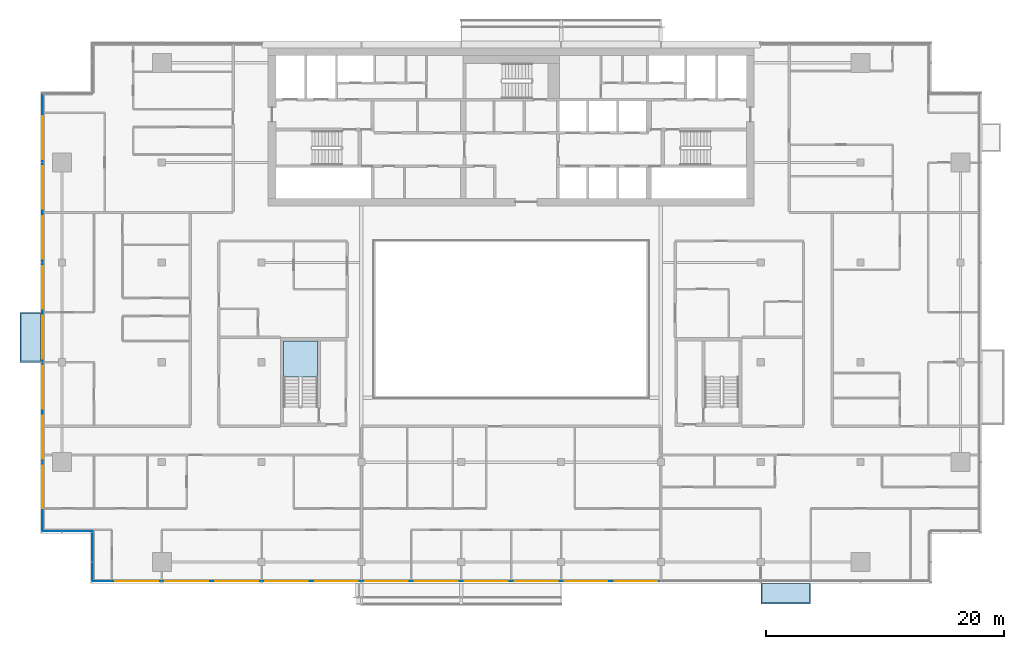
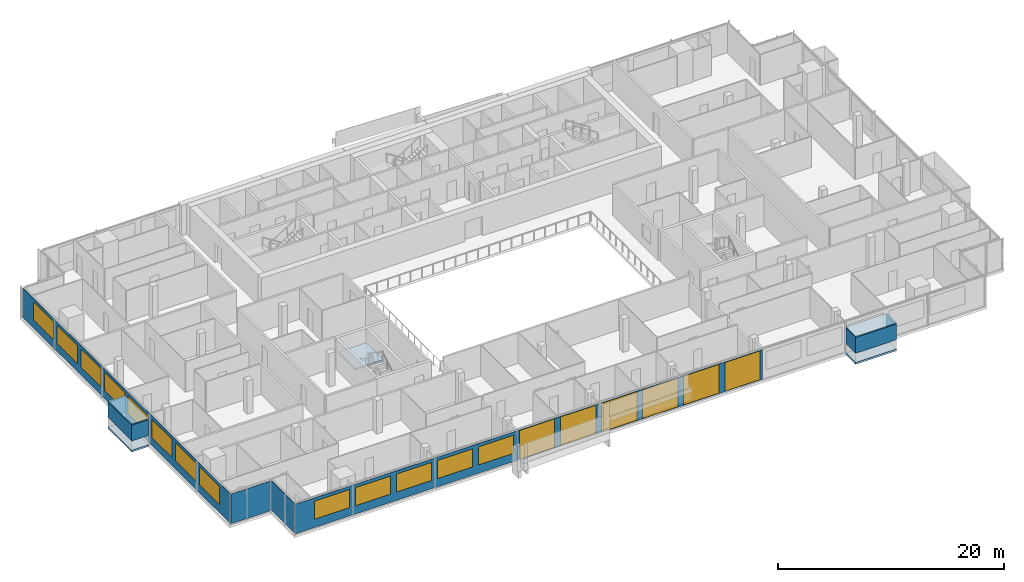
# One storey, part 14 of 26: 19 windows, 9 plates, 3 slabs, 19 openings, 5 elements without a shape of their own.
"""IFC4 building model written with IfcOpenShell, lengths in metres."""

import ifcopenshell
import ifcopenshell.guid

model = None  # the IFC model being written
_history = None  # IfcOwnerHistory: only IFC2X3 demands one
_inside = {}  # id of a spatial element -> (the spatial element, [elements in it])
_under = {}  # id of a project, library or spatial element -> (it, [spatial elements below it])
_declared = {}  # id of a project -> (the project, [libraries it declares])
_typed = {}  # id of a type object -> (the type object, [elements of that type])
_made_of = {}  # id of a material, layer set ... -> (it, [elements and type objects made of it])


def new_model(schema):
    """Start an empty IFC model of exactly this schema.

    Asked for "IFC4X3", IfcOpenShell would pick the latest addendum, in which some entities
    have other attributes; the version numbers below select the first issue.
    IFC2X3 requires an IfcOwnerHistory on every rooted entity: one is made here for all.
    """
    global model, _history
    if schema == "IFC4X3":
        model = ifcopenshell.file(schema_version=(4, 3, 0, 0))
    else:
        model = ifcopenshell.file(schema=schema)
    _inside.clear()
    _under.clear()
    _declared.clear()
    _typed.clear()
    _made_of.clear()
    _history = None
    if model.schema == "IFC2X3":
        org = make("IfcOrganization", Name="unknown")
        user = make(
            "IfcPersonAndOrganization",
            ThePerson=make("IfcPerson", FamilyName="unknown"),
            TheOrganization=org,
        )
        app = make(
            "IfcApplication",
            ApplicationDeveloper=org,
            Version="unknown",
            ApplicationFullName="unknown",
            ApplicationIdentifier="unknown",
        )
        _history = make(
            "IfcOwnerHistory",
            OwningUser=user,
            OwningApplication=app,
            ChangeAction="ADDED",
            CreationDate=0,
        )
    return model


def make(cls, **values):
    """One entity of the class cls with the attributes given. An attribute that is None is left unset."""
    return model.create_entity(
        cls, **{name: value for name, value in values.items() if value is not None}
    )


def rooted(cls, **values):
    """An entity with a GlobalId (a new one), such as an element, a storey or a relation."""
    return make(cls, GlobalId=ifcopenshell.guid.new(), OwnerHistory=_history, **values)


def si_unit(unit_type, name, prefix=None):
    """IfcSIUnit, for example si_unit("LENGTHUNIT", "METRE", prefix="MILLI")."""
    return make("IfcSIUnit", UnitType=unit_type, Prefix=prefix, Name=name)


def assignment(units):
    """IfcUnitAssignment: the units of a project."""
    return None if units is None else make("IfcUnitAssignment", Units=units)


def point(xyz):
    """IfcCartesianPoint."""
    return None if xyz is None else make("IfcCartesianPoint", Coordinates=xyz)


def direction(xyz):
    """IfcDirection."""
    return None if xyz is None else make("IfcDirection", DirectionRatios=xyz)


def frame(location, z_axis=None, x_axis=None):
    """IfcAxis2Placement3D, a coordinate frame: its origin and axes. An axis left out is left unset."""
    return make(
        "IfcAxis2Placement3D",
        Location=point(location),
        Axis=direction(z_axis),
        RefDirection=direction(x_axis),
    )


def frame_2d(location, x_axis=None):
    """IfcAxis2Placement2D, a coordinate frame in the plane: its origin and x axis."""
    return make(
        "IfcAxis2Placement2D", Location=point(location), RefDirection=direction(x_axis)
    )


def origin():
    """The frame at (0, 0, 0) with its axes left unset."""
    return frame((0.0, 0.0, 0.0))


def place(relative_to, where):
    """IfcLocalPlacement: puts the frame where relative to a parent placement (None: the world)."""
    return make(
        "IfcLocalPlacement", PlacementRelTo=relative_to, RelativePlacement=where
    )


def context(
    kind, dimensions, precision=None, world=None, true_north=None, identifier=None
):
    """IfcGeometricRepresentationContext, for example the 3D "Model" context."""
    return make(
        "IfcGeometricRepresentationContext",
        ContextIdentifier=identifier,
        ContextType=kind,
        CoordinateSpaceDimension=dimensions,
        Precision=precision,
        WorldCoordinateSystem=world,
        TrueNorth=true_north,
    )


def subcontext(parent, identifier, kind, view, scale=None):
    """IfcGeometricRepresentationSubContext, for example "Body" below "Model"."""
    return make(
        "IfcGeometricRepresentationSubContext",
        ContextIdentifier=identifier,
        ContextType=kind,
        ParentContext=parent,
        TargetScale=scale,
        TargetView=view,
    )


def project(units=None, contexts=None):
    """IfcProject with its units and contexts."""
    return rooted(
        "IfcProject",
        Name="project",
        RepresentationContexts=contexts,
        UnitsInContext=assignment(units),
    )


def spatial(cls, under=None, at=None, **own):
    """A site, building, storey or space (cls), placed at a placement, below another one or the project."""
    s = rooted(cls, ObjectPlacement=at, **own)
    if under is not None:
        _under.setdefault(under.id(), (under, []))[1].append(s)
    return s


def polyline(points):
    """IfcPolyline through the points."""
    return make("IfcPolyline", Points=[point(p) for p in points])


def profile(cls, at=None, kind="AREA", **sizes):
    """A parametric profile (cls). Its sizes go by their IFC names, for example OverallWidth=200.0."""
    return make(cls, ProfileType=kind, Position=at, **sizes)


def rectangle(**sizes):
    """IfcRectangleProfileDef."""
    return profile("IfcRectangleProfileDef", **sizes)


def outline(outer, holes=None, kind="AREA"):
    """IfcArbitraryClosedProfileDef: a profile drawn as a closed curve; with holes, ...WithVoids."""
    if holes is None:
        return make("IfcArbitraryClosedProfileDef", ProfileType=kind, OuterCurve=outer)
    return make(
        "IfcArbitraryProfileDefWithVoids",
        ProfileType=kind,
        OuterCurve=outer,
        InnerCurves=holes,
    )


def extrude(swept, where, along, depth):
    """IfcExtrudedAreaSolid: the profile swept, set in the frame where, extruded along a direction by depth."""
    return make(
        "IfcExtrudedAreaSolid",
        SweptArea=swept,
        Position=where,
        ExtrudedDirection=direction(along),
        Depth=depth,
    )


def shape(context_of_items, identifier, shape_type, items):
    """IfcShapeRepresentation: the items that make up one representation, for example the "Body"."""
    return make(
        "IfcShapeRepresentation",
        ContextOfItems=context_of_items,
        RepresentationIdentifier=identifier,
        RepresentationType=shape_type,
        Items=items,
    )


def material(Name=None, Category=None):
    """IfcMaterial."""
    return make("IfcMaterial", Name=Name, Category=Category)


def layer(
    of_material, thickness, ventilated=None, Name=None, Category=None, Priority=None
):
    """IfcMaterialLayer: one layer of a wall or slab, of a material (None: an air gap)."""
    return make(
        "IfcMaterialLayer",
        Material=of_material,
        LayerThickness=thickness,
        IsVentilated=ventilated,
        Name=Name,
        Category=Category,
        Priority=Priority,
    )


def layer_set(layers, Name=None):
    """IfcMaterialLayerSet."""
    return make("IfcMaterialLayerSet", MaterialLayers=layers, LayerSetName=Name)


def made_of(thing, what):
    """Note that an element or type object is made of a material, layer set ...; save() writes the relation."""
    if what is not None:
        _made_of.setdefault(what.id(), (what, []))[1].append(thing)
    return thing


def type_object(cls, material=None, **own):
    """A type object (cls), such as IfcWallType, which elements share."""
    return made_of(rooted(cls, **own), material)


def element(
    cls,
    number,
    at=None,
    inside=None,
    cuts=None,
    type_object=None,
    material=None,
    context=None,
    identifier="Body",
    shape_type=None,
    held_by="IfcProductDefinitionShape",
    body=None,
    shapes=None,
    **own,
):
    """One element of the class cls, such as IfcWall. Its Tag is "e" and its number.

    at: its placement. inside: the storey or other place that contains it. cuts: it is an
    opening in that element (IfcRelVoidsElement). A single representation is given by context,
    identifier, shape_type and body (its items); several are given by shapes. held_by: the class
    of the entity that holds the representations. save() writes the other relations.
    """
    e = rooted(cls, Tag="e%d" % number, ObjectPlacement=at, **own)
    if body is not None:
        shapes = [shape(context, identifier, shape_type, body)]
    if shapes is not None:
        e.Representation = make(held_by, Representations=shapes)
    if inside is not None:
        _inside.setdefault(inside.id(), (inside, []))[1].append(e)
    if cuts is not None:
        rooted(
            "IfcRelVoidsElement", RelatingBuildingElement=cuts, RelatedOpeningElement=e
        )
    if type_object is not None:
        _typed.setdefault(type_object.id(), (type_object, []))[1].append(e)
    return made_of(e, material)


def fill(opening, filler):
    """IfcRelFillsElement: the door or window that sits in an opening."""
    return rooted(
        "IfcRelFillsElement",
        RelatingOpeningElement=opening,
        RelatedBuildingElement=filler,
    )


def aggregate(whole, parts):
    """IfcRelAggregates: a whole, such as a stair, and the parts it consists of."""
    return rooted("IfcRelAggregates", RelatingObject=whole, RelatedObjects=parts)


def save(model, path):
    """Write the relations noted so far, then the file.

    IfcRelAggregates (storeys below a building ...), IfcRelContainedInSpatialStructure (elements
    in a storey), IfcRelDefinesByType, IfcRelAssociatesMaterial and IfcRelDeclares: one each for
    every whole, place, type object, material and project.
    """
    for whole, parts in _under.values():
        aggregate(whole, parts)
    for where, things in _inside.values():
        rooted(
            "IfcRelContainedInSpatialStructure",
            RelatedElements=things,
            RelatingStructure=where,
        )
    for kind, things in _typed.values():
        rooted("IfcRelDefinesByType", RelatedObjects=things, RelatingType=kind)
    for what, things in _made_of.values():
        rooted("IfcRelAssociatesMaterial", RelatedObjects=things, RelatingMaterial=what)
    for by, libraries in _declared.values():
        rooted("IfcRelDeclares", RelatingContext=by, RelatedDefinitions=libraries)
    model.write(path)


model = new_model("IFC4")

# Units and contexts
model_context = context("Model", 3, precision=1e-05, world=origin(), true_north=direction((0.0, 1.0)))
body_context = subcontext(model_context, "Body", "Model", "MODEL_VIEW")
ifc_project = project(units=[si_unit("LENGTHUNIT", "METRE"), si_unit("AREAUNIT", "SQUARE_METRE"), si_unit("VOLUMEUNIT", "CUBIC_METRE"), si_unit("PLANEANGLEUNIT", "RADIAN"), si_unit("MASSUNIT", "GRAM", prefix="KILO")], contexts=[model_context])

# Site, building, storey
site_placement = place(None, origin())
site = spatial("IfcSite", under=ifc_project, at=site_placement, CompositionType="ELEMENT")
building_placement = place(site_placement, origin())
building = spatial("IfcBuilding", under=site, at=building_placement, Name="Saffron Gate Tower", CompositionType="ELEMENT")
storey_placement = place(building_placement, frame((0.0, 0.0, 230.699951171875)))
storey = spatial("IfcBuildingStorey", under=building, at=storey_placement, Name="L56", CompositionType="ELEMENT", Elevation=230.699951171875)

# Curtain wall, plates, openings, windows
ifc_material_1 = material(Name="Aluminium, bronze anodised", Category="aluminium")
curtain_wall_type_1 = type_object("IfcCurtainWallType", Name="CWS1 curtain wall front facade", PredefinedType="NOTDEFINED", material=ifc_material_1)
curtain_wall_1_placement = place(storey_placement, origin())
curtain_wall_1 = element("IfcCurtainWall", 1, at=curtain_wall_1_placement, inside=storey, type_object=curtain_wall_type_1, Name="CWS1 run 1", PredefinedType="NOTDEFINED")
ifc_material_2 = material(Name="Clear low-iron laminated glass", Category="glass")
ifc_layer_1 = layer(ifc_material_2, 0.028076171875)
ifc_layer_set_1 = layer_set([ifc_layer_1], Name="CWS1 clear glass")
plate_type_1 = type_object("IfcPlateType", Name="CWS1 clear glass", PredefinedType="CURTAIN_PANEL", material=ifc_layer_set_1)
plate_1_placement = place(storey_placement, frame((75.030029296875, 30.174072265625, 0.0), z_axis=(0.0, 0.0, 1.0), x_axis=(1.0, 0.0, 0.0)))
plate_1 = element("IfcPlate", 2, at=plate_1_placement, type_object=plate_type_1, Name="CWS1 clear glass panel", PredefinedType="CURTAIN_PANEL", context=body_context, shape_type="SweptSolid", body=[
    extrude(rectangle(XDim=25.139892578125, YDim=0.028076171875, at=frame_2d((12.56982421875, 0.0))), origin(), (0.0, 0.0, 1.0), 3.199951171875),
])
opening_1_placement = place(plate_1_placement, frame((0.27001953125, 0.0, 0.050048828125)))
opening_1 = element("IfcOpeningElement", 3, at=opening_1_placement, cuts=plate_1, Name="Opening WA", PredefinedType="OPENING", context=body_context, shape_type="SweptSolid", body=[
    extrude(rectangle(XDim=3.60009765625, YDim=3.10009765625, at=frame_2d((1.800048828125, 1.550048828125))), frame((0.0, 0.02392578125, 0.0), z_axis=(0.0, -1.0, 0.0), x_axis=(1.0, 0.0, 0.0)), (0.0, 0.0, 1.0), 0.048095703125),
])
opening_2_placement = place(plate_1_placement, frame((4.469970703125, 0.0, 0.050048828125)))
opening_2 = element("IfcOpeningElement", 4, at=opening_2_placement, cuts=plate_1, Name="Opening WA", PredefinedType="OPENING", context=body_context, shape_type="SweptSolid", body=[
    extrude(rectangle(XDim=3.60009765625, YDim=3.10009765625, at=frame_2d((1.800048828125, 1.550048828125))), frame((0.0, 0.02392578125, 0.0), z_axis=(0.0, -1.0, 0.0), x_axis=(1.0, 0.0, 0.0)), (0.0, 0.0, 1.0), 0.048095703125),
])
opening_3_placement = place(plate_1_placement, frame((8.669921875, 0.0, 0.050048828125)))
opening_3 = element("IfcOpeningElement", 5, at=opening_3_placement, cuts=plate_1, Name="Opening WA", PredefinedType="OPENING", context=body_context, shape_type="SweptSolid", body=[
    extrude(rectangle(XDim=3.60009765625, YDim=3.10009765625, at=frame_2d((1.800048828125, 1.550048828125))), frame((0.0, 0.02392578125, 0.0), z_axis=(0.0, -1.0, 0.0), x_axis=(1.0, 0.0, 0.0)), (0.0, 0.0, 1.0), 0.048095703125),
])
opening_4_placement = place(plate_1_placement, frame((12.8701171875, 0.0, 0.050048828125)))
opening_4 = element("IfcOpeningElement", 6, at=opening_4_placement, cuts=plate_1, Name="Opening WA", PredefinedType="OPENING", context=body_context, shape_type="SweptSolid", body=[
    extrude(rectangle(XDim=3.60009765625, YDim=3.10009765625, at=frame_2d((1.800048828125, 1.550048828125))), frame((0.0, 0.02392578125, 0.0), z_axis=(0.0, -1.0, 0.0), x_axis=(1.0, 0.0, 0.0)), (0.0, 0.0, 1.0), 0.048095703125),
])
opening_5_placement = place(plate_1_placement, frame((17.070068359375, 0.0, 0.050048828125)))
opening_5 = element("IfcOpeningElement", 7, at=opening_5_placement, cuts=plate_1, Name="Opening WA", PredefinedType="OPENING", context=body_context, shape_type="SweptSolid", body=[
    extrude(rectangle(XDim=3.60009765625, YDim=3.10009765625, at=frame_2d((1.800048828125, 1.550048828125))), frame((0.0, 0.02392578125, 0.0), z_axis=(0.0, -1.0, 0.0), x_axis=(1.0, 0.0, 0.0)), (0.0, 0.0, 1.0), 0.048095703125),
])
opening_6_placement = place(plate_1_placement, frame((21.27001953125, 0.0, 0.050048828125)))
opening_6 = element("IfcOpeningElement", 8, at=opening_6_placement, cuts=plate_1, Name="Opening WA", PredefinedType="OPENING", context=body_context, shape_type="SweptSolid", body=[
    extrude(rectangle(XDim=3.60009765625, YDim=3.10009765625, at=frame_2d((1.800048828125, 1.550048828125))), frame((0.0, 0.02392578125, 0.0), z_axis=(0.0, -1.0, 0.0), x_axis=(1.0, 0.0, 0.0)), (0.0, 0.0, 1.0), 0.048095703125),
])
ifc_material_3 = material(Name="Clear low-iron laminated glass in bronze frame", Category="glass")
ifc_layer_2 = layer(ifc_material_3, 0.06005859375)
ifc_layer_set_2 = layer_set([ifc_layer_2], Name="WA operable atrium unit 3600x3100")
window_type_1 = type_object("IfcWindowType", Name="WA operable atrium unit 3600x3100", PartitioningType="DOUBLE_PANEL_HORIZONTAL", PredefinedType="WINDOW", material=ifc_layer_set_2)
window_1_placement = place(opening_1_placement, origin())
window_1 = element("IfcWindow", 9, at=window_1_placement, type_object=window_type_1, Name="WA operable atrium unit", OverallHeight=3.10009765625, OverallWidth=3.60009765625, PartitioningType="SINGLE_PANEL", PredefinedType="WINDOW", context=body_context, shape_type="SweptSolid", body=[
    extrude(rectangle(XDim=3.60009765625, YDim=3.10009765625, at=frame_2d((1.800048828125, 1.550048828125))), frame((0.0, 0.013671875, 0.0), z_axis=(0.0, -1.0, 0.0), x_axis=(1.0, 0.0, 0.0)), (0.0, 0.0, 1.0), 0.027587890625),
])
fill(opening_1, window_1)
window_2_placement = place(opening_2_placement, origin())
window_2 = element("IfcWindow", 10, at=window_2_placement, type_object=window_type_1, Name="WA operable atrium unit", OverallHeight=3.10009765625, OverallWidth=3.60009765625, PartitioningType="SINGLE_PANEL", PredefinedType="WINDOW", context=body_context, shape_type="SweptSolid", body=[
    extrude(rectangle(XDim=3.60009765625, YDim=3.10009765625, at=frame_2d((1.800048828125, 1.550048828125))), frame((0.0, 0.013671875, 0.0), z_axis=(0.0, -1.0, 0.0), x_axis=(1.0, 0.0, 0.0)), (0.0, 0.0, 1.0), 0.027587890625),
])
fill(opening_2, window_2)
window_3_placement = place(opening_3_placement, origin())
window_3 = element("IfcWindow", 11, at=window_3_placement, type_object=window_type_1, Name="WA operable atrium unit", OverallHeight=3.10009765625, OverallWidth=3.60009765625, PartitioningType="SINGLE_PANEL", PredefinedType="WINDOW", context=body_context, shape_type="SweptSolid", body=[
    extrude(rectangle(XDim=3.60009765625, YDim=3.10009765625, at=frame_2d((1.800048828125, 1.550048828125))), frame((0.0, 0.013671875, 0.0), z_axis=(0.0, -1.0, 0.0), x_axis=(1.0, 0.0, 0.0)), (0.0, 0.0, 1.0), 0.027587890625),
])
fill(opening_3, window_3)
window_4_placement = place(opening_4_placement, origin())
window_4 = element("IfcWindow", 12, at=window_4_placement, type_object=window_type_1, Name="WA operable atrium unit", OverallHeight=3.10009765625, OverallWidth=3.60009765625, PartitioningType="SINGLE_PANEL", PredefinedType="WINDOW", context=body_context, shape_type="SweptSolid", body=[
    extrude(rectangle(XDim=3.60009765625, YDim=3.10009765625, at=frame_2d((1.800048828125, 1.550048828125))), frame((0.0, 0.013671875, 0.0), z_axis=(0.0, -1.0, 0.0), x_axis=(1.0, 0.0, 0.0)), (0.0, 0.0, 1.0), 0.027587890625),
])
fill(opening_4, window_4)
window_5_placement = place(opening_5_placement, origin())
window_5 = element("IfcWindow", 13, at=window_5_placement, type_object=window_type_1, Name="WA operable atrium unit", OverallHeight=3.10009765625, OverallWidth=3.60009765625, PartitioningType="SINGLE_PANEL", PredefinedType="WINDOW", context=body_context, shape_type="SweptSolid", body=[
    extrude(rectangle(XDim=3.60009765625, YDim=3.10009765625, at=frame_2d((1.800048828125, 1.550048828125))), frame((0.0, 0.013671875, 0.0), z_axis=(0.0, -1.0, 0.0), x_axis=(1.0, 0.0, 0.0)), (0.0, 0.0, 1.0), 0.027587890625),
])
fill(opening_5, window_5)
window_6_placement = place(opening_6_placement, origin())
window_6 = element("IfcWindow", 14, at=window_6_placement, type_object=window_type_1, Name="WA operable atrium unit", OverallHeight=3.10009765625, OverallWidth=3.60009765625, PartitioningType="SINGLE_PANEL", PredefinedType="WINDOW", context=body_context, shape_type="SweptSolid", body=[
    extrude(rectangle(XDim=3.60009765625, YDim=3.10009765625, at=frame_2d((1.800048828125, 1.550048828125))), frame((0.0, 0.013671875, 0.0), z_axis=(0.0, -1.0, 0.0), x_axis=(1.0, 0.0, 0.0)), (0.0, 0.0, 1.0), 0.027587890625),
])
fill(opening_6, window_6)
ifc_material_4 = material(Name="Fritted bronze-tinted laminated glass", Category="glass")
ifc_layer_3 = layer(ifc_material_4, 0.028076171875)
ifc_layer_set_3 = layer_set([ifc_layer_3], Name="CWS1 fixed glass")
plate_type_2 = type_object("IfcPlateType", Name="CWS1 fixed glass", PredefinedType="CURTAIN_PANEL", material=ifc_layer_set_3)
plate_2_placement = place(storey_placement, frame((52.387939453125, 30.174072265625, 0.0), z_axis=(0.0, 0.0, 1.0), x_axis=(1.0, 0.0, 0.0)))
plate_2 = element("IfcPlate", 15, at=plate_2_placement, type_object=plate_type_2, Name="CWS1 glass panel", PredefinedType="CURTAIN_PANEL", context=body_context, shape_type="SweptSolid", body=[
    extrude(rectangle(XDim=22.64208984375, YDim=0.028076171875, at=frame_2d((11.321044921875, 0.0))), origin(), (0.0, 0.0, 1.0), 3.199951171875),
])
opening_7_placement = place(plate_2_placement, frame((1.912109375, 0.0, 0.89990234375)))
opening_7 = element("IfcOpeningElement", 16, at=opening_7_placement, cuts=plate_2, Name="Opening W1", PredefinedType="OPENING", context=body_context, shape_type="SweptSolid", body=[
    extrude(rectangle(XDim=3.60009765625, YDim=1.949951171875, at=frame_2d((1.800048828125, 0.97509765625))), frame((0.0, 0.02392578125, 0.0), z_axis=(0.0, -1.0, 0.0), x_axis=(1.0, 0.0, 0.0)), (0.0, 0.0, 1.0), 0.048095703125),
])
opening_8_placement = place(plate_2_placement, frame((6.112060546875, 0.0, 0.89990234375)))
opening_8 = element("IfcOpeningElement", 17, at=opening_8_placement, cuts=plate_2, Name="Opening W1", PredefinedType="OPENING", context=body_context, shape_type="SweptSolid", body=[
    extrude(rectangle(XDim=3.60009765625, YDim=1.949951171875, at=frame_2d((1.800048828125, 0.97509765625))), frame((0.0, 0.02392578125, 0.0), z_axis=(0.0, -1.0, 0.0), x_axis=(1.0, 0.0, 0.0)), (0.0, 0.0, 1.0), 0.048095703125),
])
opening_9_placement = place(plate_2_placement, frame((10.31201171875, 0.0, 0.89990234375)))
opening_9 = element("IfcOpeningElement", 18, at=opening_9_placement, cuts=plate_2, Name="Opening W1", PredefinedType="OPENING", context=body_context, shape_type="SweptSolid", body=[
    extrude(rectangle(XDim=3.60009765625, YDim=1.949951171875, at=frame_2d((1.800048828125, 0.97509765625))), frame((0.0, 0.02392578125, 0.0), z_axis=(0.0, -1.0, 0.0), x_axis=(1.0, 0.0, 0.0)), (0.0, 0.0, 1.0), 0.048095703125),
])
opening_10_placement = place(plate_2_placement, frame((14.511962890625, 0.0, 0.89990234375)))
opening_10 = element("IfcOpeningElement", 19, at=opening_10_placement, cuts=plate_2, Name="Opening W1", PredefinedType="OPENING", context=body_context, shape_type="SweptSolid", body=[
    extrude(rectangle(XDim=3.60009765625, YDim=1.949951171875, at=frame_2d((1.800048828125, 0.97509765625))), frame((0.0, 0.02392578125, 0.0), z_axis=(0.0, -1.0, 0.0), x_axis=(1.0, 0.0, 0.0)), (0.0, 0.0, 1.0), 0.048095703125),
])
opening_11_placement = place(plate_2_placement, frame((18.7119140625, 0.0, 0.89990234375)))
opening_11 = element("IfcOpeningElement", 20, at=opening_11_placement, cuts=plate_2, Name="Opening W1", PredefinedType="OPENING", context=body_context, shape_type="SweptSolid", body=[
    extrude(rectangle(XDim=3.60009765625, YDim=1.949951171875, at=frame_2d((1.800048828125, 0.97509765625))), frame((0.0, 0.02392578125, 0.0), z_axis=(0.0, -1.0, 0.0), x_axis=(1.0, 0.0, 0.0)), (0.0, 0.0, 1.0), 0.048095703125),
])
ifc_material_5 = material(Name="Fritted bronze-tinted laminated glass in bronze frame", Category="glass")
ifc_layer_4 = layer(ifc_material_5, 0.06005859375)
ifc_layer_set_4 = layer_set([ifc_layer_4], Name="W1 operable panel 3600x1950")
window_type_2 = type_object("IfcWindowType", Name="W1 operable panel 3600x1950", PartitioningType="DOUBLE_PANEL_HORIZONTAL", PredefinedType="WINDOW", material=ifc_layer_set_4)
window_7_placement = place(opening_7_placement, origin())
window_7 = element("IfcWindow", 21, at=window_7_placement, type_object=window_type_2, Name="W1 operable panel", OverallHeight=1.949951171875, OverallWidth=3.60009765625, PartitioningType="SINGLE_PANEL", PredefinedType="WINDOW", context=body_context, shape_type="SweptSolid", body=[
    extrude(rectangle(XDim=3.60009765625, YDim=1.949951171875, at=frame_2d((1.800048828125, 0.97509765625))), frame((0.0, 0.013671875, 0.0), z_axis=(0.0, -1.0, 0.0), x_axis=(1.0, 0.0, 0.0)), (0.0, 0.0, 1.0), 0.027587890625),
])
fill(opening_7, window_7)
window_8_placement = place(opening_8_placement, origin())
window_8 = element("IfcWindow", 22, at=window_8_placement, type_object=window_type_2, Name="W1 operable panel", OverallHeight=1.949951171875, OverallWidth=3.60009765625, PartitioningType="SINGLE_PANEL", PredefinedType="WINDOW", context=body_context, shape_type="SweptSolid", body=[
    extrude(rectangle(XDim=3.60009765625, YDim=1.949951171875, at=frame_2d((1.800048828125, 0.97509765625))), frame((0.0, 0.013671875, 0.0), z_axis=(0.0, -1.0, 0.0), x_axis=(1.0, 0.0, 0.0)), (0.0, 0.0, 1.0), 0.027587890625),
])
fill(opening_8, window_8)
window_9_placement = place(opening_9_placement, origin())
window_9 = element("IfcWindow", 23, at=window_9_placement, type_object=window_type_2, Name="W1 operable panel", OverallHeight=1.949951171875, OverallWidth=3.60009765625, PartitioningType="SINGLE_PANEL", PredefinedType="WINDOW", context=body_context, shape_type="SweptSolid", body=[
    extrude(rectangle(XDim=3.60009765625, YDim=1.949951171875, at=frame_2d((1.800048828125, 0.97509765625))), frame((0.0, 0.013671875, 0.0), z_axis=(0.0, -1.0, 0.0), x_axis=(1.0, 0.0, 0.0)), (0.0, 0.0, 1.0), 0.027587890625),
])
fill(opening_9, window_9)
window_10_placement = place(opening_10_placement, origin())
window_10 = element("IfcWindow", 24, at=window_10_placement, type_object=window_type_2, Name="W1 operable panel", OverallHeight=1.949951171875, OverallWidth=3.60009765625, PartitioningType="SINGLE_PANEL", PredefinedType="WINDOW", context=body_context, shape_type="SweptSolid", body=[
    extrude(rectangle(XDim=3.60009765625, YDim=1.949951171875, at=frame_2d((1.800048828125, 0.97509765625))), frame((0.0, 0.013671875, 0.0), z_axis=(0.0, -1.0, 0.0), x_axis=(1.0, 0.0, 0.0)), (0.0, 0.0, 1.0), 0.027587890625),
])
fill(opening_10, window_10)
window_11_placement = place(opening_11_placement, origin())
window_11 = element("IfcWindow", 25, at=window_11_placement, type_object=window_type_2, Name="W1 operable panel", OverallHeight=1.949951171875, OverallWidth=3.60009765625, PartitioningType="SINGLE_PANEL", PredefinedType="WINDOW", context=body_context, shape_type="SweptSolid", body=[
    extrude(rectangle(XDim=3.60009765625, YDim=1.949951171875, at=frame_2d((1.800048828125, 0.97509765625))), frame((0.0, 0.013671875, 0.0), z_axis=(0.0, -1.0, 0.0), x_axis=(1.0, 0.0, 0.0)), (0.0, 0.0, 1.0), 0.027587890625),
])
fill(opening_11, window_11)
aggregate(curtain_wall_1, [plate_2, plate_1, window_7, window_8, window_9, window_10, window_11, window_1, window_2, window_3, window_4, window_5, window_6])

# Curtain wall, plate, openings, windows
curtain_wall_type_2 = type_object("IfcCurtainWallType", Name="CWS2 curtain wall side facades", PredefinedType="NOTDEFINED", material=ifc_material_1)
curtain_wall_2_placement = place(storey_placement, origin())
curtain_wall_2 = element("IfcCurtainWall", 26, at=curtain_wall_2_placement, inside=storey, type_object=curtain_wall_type_2, Name="CWS2 run 10", PredefinedType="NOTDEFINED")
ifc_layer_5 = layer(ifc_material_4, 0.028076171875)
ifc_layer_set_5 = layer_set([ifc_layer_5], Name="CWS2 fixed glass")
plate_type_3 = type_object("IfcPlateType", Name="CWS2 fixed glass", PredefinedType="CURTAIN_PANEL", material=ifc_layer_set_5)
plate_3_placement = place(storey_placement, frame((48.174072265625, 71.2119140625, 0.0), z_axis=(0.0, 0.0, 1.0), x_axis=(0.0, -1.0, 0.0)))
plate_3 = element("IfcPlate", 27, at=plate_3_placement, type_object=plate_type_3, Name="CWS2 glass panel", PredefinedType="CURTAIN_PANEL", context=body_context, shape_type="SweptSolid", body=[
    extrude(rectangle(XDim=36.823974609375, YDim=0.028076171875, at=frame_2d((18.412109375, 0.0))), origin(), (0.0, 0.0, 1.0), 3.199951171875),
])
opening_12_placement = place(plate_3_placement, frame((1.912109375, 0.0, 0.89990234375)))
opening_12 = element("IfcOpeningElement", 28, at=opening_12_placement, cuts=plate_3, Name="Opening W1", PredefinedType="OPENING", context=body_context, shape_type="SweptSolid", body=[
    extrude(rectangle(XDim=3.60009765625, YDim=1.949951171875, at=frame_2d((1.800048828125, 0.97509765625))), frame((0.0, 0.02392578125, 0.0), z_axis=(0.0, -1.0, 0.0), x_axis=(1.0, 0.0, 0.0)), (0.0, 0.0, 1.0), 0.048095703125),
])
opening_13_placement = place(plate_3_placement, frame((6.112060546875, 0.0, 0.89990234375)))
opening_13 = element("IfcOpeningElement", 29, at=opening_13_placement, cuts=plate_3, Name="Opening W1", PredefinedType="OPENING", context=body_context, shape_type="SweptSolid", body=[
    extrude(rectangle(XDim=3.60009765625, YDim=1.949951171875, at=frame_2d((1.800048828125, 0.97509765625))), frame((0.0, 0.02392578125, 0.0), z_axis=(0.0, -1.0, 0.0), x_axis=(1.0, 0.0, 0.0)), (0.0, 0.0, 1.0), 0.048095703125),
])
opening_14_placement = place(plate_3_placement, frame((10.31201171875, 0.0, 0.89990234375)))
opening_14 = element("IfcOpeningElement", 30, at=opening_14_placement, cuts=plate_3, Name="Opening W1", PredefinedType="OPENING", context=body_context, shape_type="SweptSolid", body=[
    extrude(rectangle(XDim=3.60009765625, YDim=1.949951171875, at=frame_2d((1.800048828125, 0.97509765625))), frame((0.0, 0.02392578125, 0.0), z_axis=(0.0, -1.0, 0.0), x_axis=(1.0, 0.0, 0.0)), (0.0, 0.0, 1.0), 0.048095703125),
])
opening_15_placement = place(plate_3_placement, frame((14.511962890625, 0.0, 0.89990234375)))
opening_15 = element("IfcOpeningElement", 31, at=opening_15_placement, cuts=plate_3, Name="Opening W1", PredefinedType="OPENING", context=body_context, shape_type="SweptSolid", body=[
    extrude(rectangle(XDim=3.60009765625, YDim=1.949951171875, at=frame_2d((1.800048828125, 0.97509765625))), frame((0.0, 0.02392578125, 0.0), z_axis=(0.0, -1.0, 0.0), x_axis=(1.0, 0.0, 0.0)), (0.0, 0.0, 1.0), 0.048095703125),
])
opening_16_placement = place(plate_3_placement, frame((18.7119140625, 0.0, 0.89990234375)))
opening_16 = element("IfcOpeningElement", 32, at=opening_16_placement, cuts=plate_3, Name="Opening W1", PredefinedType="OPENING", context=body_context, shape_type="SweptSolid", body=[
    extrude(rectangle(XDim=3.60009765625, YDim=1.949951171875, at=frame_2d((1.800048828125, 0.97509765625))), frame((0.0, 0.02392578125, 0.0), z_axis=(0.0, -1.0, 0.0), x_axis=(1.0, 0.0, 0.0)), (0.0, 0.0, 1.0), 0.048095703125),
])
opening_17_placement = place(plate_3_placement, frame((22.912109375, 0.0, 0.89990234375)))
opening_17 = element("IfcOpeningElement", 33, at=opening_17_placement, cuts=plate_3, Name="Opening W1", PredefinedType="OPENING", context=body_context, shape_type="SweptSolid", body=[
    extrude(rectangle(XDim=3.60009765625, YDim=1.949951171875, at=frame_2d((1.800048828125, 0.97509765625))), frame((0.0, 0.02392578125, 0.0), z_axis=(0.0, -1.0, 0.0), x_axis=(1.0, 0.0, 0.0)), (0.0, 0.0, 1.0), 0.048095703125),
])
opening_18_placement = place(plate_3_placement, frame((27.112060546875, 0.0, 0.89990234375)))
opening_18 = element("IfcOpeningElement", 34, at=opening_18_placement, cuts=plate_3, Name="Opening W1", PredefinedType="OPENING", context=body_context, shape_type="SweptSolid", body=[
    extrude(rectangle(XDim=3.60009765625, YDim=1.949951171875, at=frame_2d((1.800048828125, 0.97509765625))), frame((0.0, 0.02392578125, 0.0), z_axis=(0.0, -1.0, 0.0), x_axis=(1.0, 0.0, 0.0)), (0.0, 0.0, 1.0), 0.048095703125),
])
opening_19_placement = place(plate_3_placement, frame((31.31201171875, 0.0, 0.89990234375)))
opening_19 = element("IfcOpeningElement", 35, at=opening_19_placement, cuts=plate_3, Name="Opening W1", PredefinedType="OPENING", context=body_context, shape_type="SweptSolid", body=[
    extrude(rectangle(XDim=3.60009765625, YDim=1.949951171875, at=frame_2d((1.800048828125, 0.97509765625))), frame((0.0, 0.02392578125, 0.0), z_axis=(0.0, -1.0, 0.0), x_axis=(1.0, 0.0, 0.0)), (0.0, 0.0, 1.0), 0.048095703125),
])
window_12_placement = place(opening_12_placement, origin())
window_12 = element("IfcWindow", 36, at=window_12_placement, type_object=window_type_2, Name="W1 operable panel", OverallHeight=1.949951171875, OverallWidth=3.60009765625, PartitioningType="SINGLE_PANEL", PredefinedType="WINDOW", context=body_context, shape_type="SweptSolid", body=[
    extrude(rectangle(XDim=3.60009765625, YDim=1.949951171875, at=frame_2d((1.800048828125, 0.97509765625))), frame((0.0, 0.013671875, 0.0), z_axis=(0.0, -1.0, 0.0), x_axis=(1.0, 0.0, 0.0)), (0.0, 0.0, 1.0), 0.027587890625),
])
fill(opening_12, window_12)
window_13_placement = place(opening_13_placement, origin())
window_13 = element("IfcWindow", 37, at=window_13_placement, type_object=window_type_2, Name="W1 operable panel", OverallHeight=1.949951171875, OverallWidth=3.60009765625, PartitioningType="SINGLE_PANEL", PredefinedType="WINDOW", context=body_context, shape_type="SweptSolid", body=[
    extrude(rectangle(XDim=3.60009765625, YDim=1.949951171875, at=frame_2d((1.800048828125, 0.97509765625))), frame((0.0, 0.013671875, 0.0), z_axis=(0.0, -1.0, 0.0), x_axis=(1.0, 0.0, 0.0)), (0.0, 0.0, 1.0), 0.027587890625),
])
fill(opening_13, window_13)
window_14_placement = place(opening_14_placement, origin())
window_14 = element("IfcWindow", 38, at=window_14_placement, type_object=window_type_2, Name="W1 operable panel", OverallHeight=1.949951171875, OverallWidth=3.60009765625, PartitioningType="SINGLE_PANEL", PredefinedType="WINDOW", context=body_context, shape_type="SweptSolid", body=[
    extrude(rectangle(XDim=3.60009765625, YDim=1.949951171875, at=frame_2d((1.800048828125, 0.97509765625))), frame((0.0, 0.013671875, 0.0), z_axis=(0.0, -1.0, 0.0), x_axis=(1.0, 0.0, 0.0)), (0.0, 0.0, 1.0), 0.027587890625),
])
fill(opening_14, window_14)
window_15_placement = place(opening_15_placement, origin())
window_15 = element("IfcWindow", 39, at=window_15_placement, type_object=window_type_2, Name="W1 operable panel", OverallHeight=1.949951171875, OverallWidth=3.60009765625, PartitioningType="SINGLE_PANEL", PredefinedType="WINDOW", context=body_context, shape_type="SweptSolid", body=[
    extrude(rectangle(XDim=3.60009765625, YDim=1.949951171875, at=frame_2d((1.800048828125, 0.97509765625))), frame((0.0, 0.013671875, 0.0), z_axis=(0.0, -1.0, 0.0), x_axis=(1.0, 0.0, 0.0)), (0.0, 0.0, 1.0), 0.027587890625),
])
fill(opening_15, window_15)
window_16_placement = place(opening_16_placement, origin())
window_16 = element("IfcWindow", 40, at=window_16_placement, type_object=window_type_2, Name="W1 operable panel", OverallHeight=1.949951171875, OverallWidth=3.60009765625, PartitioningType="SINGLE_PANEL", PredefinedType="WINDOW", context=body_context, shape_type="SweptSolid", body=[
    extrude(rectangle(XDim=3.60009765625, YDim=1.949951171875, at=frame_2d((1.800048828125, 0.97509765625))), frame((0.0, 0.013671875, 0.0), z_axis=(0.0, -1.0, 0.0), x_axis=(1.0, 0.0, 0.0)), (0.0, 0.0, 1.0), 0.027587890625),
])
fill(opening_16, window_16)
window_17_placement = place(opening_17_placement, origin())
window_17 = element("IfcWindow", 41, at=window_17_placement, type_object=window_type_2, Name="W1 operable panel", OverallHeight=1.949951171875, OverallWidth=3.60009765625, PartitioningType="SINGLE_PANEL", PredefinedType="WINDOW", context=body_context, shape_type="SweptSolid", body=[
    extrude(rectangle(XDim=3.60009765625, YDim=1.949951171875, at=frame_2d((1.800048828125, 0.97509765625))), frame((0.0, 0.013671875, 0.0), z_axis=(0.0, -1.0, 0.0), x_axis=(1.0, 0.0, 0.0)), (0.0, 0.0, 1.0), 0.027587890625),
])
fill(opening_17, window_17)
window_18_placement = place(opening_18_placement, origin())
window_18 = element("IfcWindow", 42, at=window_18_placement, type_object=window_type_2, Name="W1 operable panel", OverallHeight=1.949951171875, OverallWidth=3.60009765625, PartitioningType="SINGLE_PANEL", PredefinedType="WINDOW", context=body_context, shape_type="SweptSolid", body=[
    extrude(rectangle(XDim=3.60009765625, YDim=1.949951171875, at=frame_2d((1.800048828125, 0.97509765625))), frame((0.0, 0.013671875, 0.0), z_axis=(0.0, -1.0, 0.0), x_axis=(1.0, 0.0, 0.0)), (0.0, 0.0, 1.0), 0.027587890625),
])
fill(opening_18, window_18)
window_19_placement = place(opening_19_placement, origin())
window_19 = element("IfcWindow", 43, at=window_19_placement, type_object=window_type_2, Name="W1 operable panel", OverallHeight=1.949951171875, OverallWidth=3.60009765625, PartitioningType="SINGLE_PANEL", PredefinedType="WINDOW", context=body_context, shape_type="SweptSolid", body=[
    extrude(rectangle(XDim=3.60009765625, YDim=1.949951171875, at=frame_2d((1.800048828125, 0.97509765625))), frame((0.0, 0.013671875, 0.0), z_axis=(0.0, -1.0, 0.0), x_axis=(1.0, 0.0, 0.0)), (0.0, 0.0, 1.0), 0.027587890625),
])
fill(opening_19, window_19)
aggregate(curtain_wall_2, [plate_3, window_12, window_13, window_14, window_15, window_16, window_17, window_18, window_19])

# Curtain wall, plate
curtain_wall_type_3 = type_object("IfcCurtainWallType", Name="CWS4 curtain wall corner returns", PredefinedType="NOTDEFINED", material=ifc_material_1)
curtain_wall_3_placement = place(storey_placement, origin())
curtain_wall_3 = element("IfcCurtainWall", 44, at=curtain_wall_3_placement, inside=storey, type_object=curtain_wall_type_3, Name="CWS4 run 11", PredefinedType="NOTDEFINED")
ifc_layer_6 = layer(ifc_material_4, 0.028076171875)
ifc_layer_set_6 = layer_set([ifc_layer_6], Name="CWS4 fixed glass")
plate_type_4 = type_object("IfcPlateType", Name="CWS4 fixed glass", PredefinedType="CURTAIN_PANEL", material=ifc_layer_set_6)
plate_4_placement = place(storey_placement, frame((48.18798828125, 34.3740234375, 0.0), z_axis=(0.0, 0.0, 1.0), x_axis=(1.0, 0.0, 0.0)))
plate_4 = element("IfcPlate", 45, at=plate_4_placement, type_object=plate_type_4, Name="CWS4 glass panel", PredefinedType="CURTAIN_PANEL", context=body_context, shape_type="SweptSolid", body=[
    extrude(rectangle(XDim=4.172119140625, YDim=0.028076171875, at=frame_2d((2.0859375, 0.0))), origin(), (0.0, 0.0, 1.0), 3.199951171875),
])
aggregate(curtain_wall_3, [plate_4])

curtain_wall_4_placement = place(storey_placement, origin())
curtain_wall_4 = element("IfcCurtainWall", 46, at=curtain_wall_4_placement, inside=storey, type_object=curtain_wall_type_3, Name="CWS4 run 12", PredefinedType="NOTDEFINED")
plate_5_placement = place(storey_placement, frame((52.3740234375, 34.360107421875, 0.0), z_axis=(0.0, 0.0, 1.0), x_axis=(0.0, -1.0, 0.0)))
plate_5 = element("IfcPlate", 47, at=plate_5_placement, type_object=plate_type_4, Name="CWS4 glass panel", PredefinedType="CURTAIN_PANEL", context=body_context, shape_type="SweptSolid", body=[
    extrude(rectangle(XDim=4.172119140625, YDim=0.028076171875, at=frame_2d((2.0859375, 0.0))), origin(), (0.0, 0.0, 1.0), 3.199951171875),
])
aggregate(curtain_wall_4, [plate_5])

# Stair, slab
ifc_material_6 = material(Name="Concrete C40", Category="concrete")
stair_type = type_object("IfcStairType", Name="ST7 Stair 1350 wide, 20 risers of 180", PredefinedType="HALF_TURN_STAIR", material=ifc_material_6)
stair_placement = place(storey_placement, origin())
stair = element("IfcStair", 48, at=stair_placement, inside=storey, type_object=stair_type, Name="L56 Exit stair D", PredefinedType="HALF_TURN_STAIR")
ifc_layer_7 = layer(ifc_material_6, 0.199951171875)
ifc_layer_set_7 = layer_set([ifc_layer_7], Name="SL1 Stair landing 200")
slab_type_1 = type_object("IfcSlabType", Name="SL1 Stair landing 200", PredefinedType="LANDING", material=ifc_layer_set_7)
slab_1_placement = place(storey_placement, frame((0.0, 0.0, 1.60009765625)))
slab_1 = element("IfcSlab", 49, at=slab_1_placement, type_object=slab_type_1, Name="ST-D landing 1", PredefinedType="LANDING", context=body_context, shape_type="SweptSolid", body=[
    extrude(outline(polyline([(71.300048828125, 47.3701171875), (71.300048828125, 50.39990234375), (68.449951171875, 50.39990234375), (68.449951171875, 47.3701171875), (71.300048828125, 47.3701171875)])), origin(), (0.0, 0.0, 1.0), 0.199951171875),
])
aggregate(stair, [slab_1])

# Slabs
ifc_material_7 = material(Name="Timber deck on bronze frame", Category="wood")
ifc_layer_8 = layer(ifc_material_7, 0.199951171875)
ifc_layer_set_8 = layer_set([ifc_layer_8], Name="WB1 box floor")
slab_type_2 = type_object("IfcSlabType", Name="WB1 box floor", PredefinedType="FLOOR", material=ifc_layer_set_8)
slab_2_placement = place(storey_placement, frame((0.0, 0.0, -0.199951171875)))
element("IfcSlab", 50, at=slab_2_placement, inside=storey, type_object=slab_type_2, Name="WINDOW BOX floor", PredefinedType="FLOOR", context=body_context, shape_type="SweptSolid", body=[
    extrude(outline(polyline([(108.60009765625, 30.0), (112.800048828125, 30.0), (112.800048828125, 28.26708984375), (108.60009765625, 28.26708984375), (108.60009765625, 30.0)])), origin(), (0.0, 0.0, 1.0), 0.199951171875),
])
slab_3_placement = place(storey_placement, frame((0.0, 0.0, -0.199951171875)))
element("IfcSlab", 51, at=slab_3_placement, inside=storey, type_object=slab_type_2, Name="WINDOW BOX floor", PredefinedType="FLOOR", context=body_context, shape_type="SweptSolid", body=[
    extrude(outline(polyline([(48.0, 52.800048828125), (48.0, 48.60009765625), (46.26708984375, 48.60009765625), (46.26708984375, 52.800048828125), (48.0, 52.800048828125)])), origin(), (0.0, 0.0, 1.0), 0.199951171875),
])

# Plates
ifc_layer_9 = layer(ifc_material_1, 0.1201171875)
ifc_layer_set_9 = layer_set([ifc_layer_9], Name="WB2 box roof")
plate_type_5 = type_object("IfcPlateType", Name="WB2 box roof", PredefinedType="SHEET", material=ifc_layer_set_9)
plate_6_placement = place(storey_placement, frame((0.0, 0.0, 2.699951171875)))
element("IfcPlate", 52, at=plate_6_placement, inside=storey, type_object=plate_type_5, Name="WINDOW BOX roof", PredefinedType="SHEET", context=body_context, shape_type="SweptSolid", body=[
    extrude(outline(polyline([(108.60009765625, 30.0), (112.800048828125, 30.0), (112.800048828125, 28.26708984375), (108.60009765625, 28.26708984375), (108.60009765625, 30.0)])), origin(), (0.0, 0.0, 1.0), 0.1201171875),
])
plate_7_placement = place(storey_placement, frame((0.0, 0.0, 2.699951171875)))
element("IfcPlate", 53, at=plate_7_placement, inside=storey, type_object=plate_type_5, Name="WINDOW BOX roof", PredefinedType="SHEET", context=body_context, shape_type="SweptSolid", body=[
    extrude(outline(polyline([(48.0, 52.800048828125), (48.0, 48.60009765625), (46.26708984375, 48.60009765625), (46.26708984375, 52.800048828125), (48.0, 52.800048828125)])), origin(), (0.0, 0.0, 1.0), 0.1201171875),
])
ifc_layer_10 = layer(ifc_material_2, 0.10009765625)
ifc_layer_set_10 = layer_set([ifc_layer_10], Name="WB6 box glazing")
plate_type_6 = type_object("IfcPlateType", Name="WB6 box glazing", PredefinedType="SHEET", material=ifc_layer_set_10)
plate_8_placement = place(storey_placement, frame((0.0, 0.0, 1.0)))
element("IfcPlate", 54, at=plate_8_placement, inside=storey, type_object=plate_type_6, Name="WINDOW BOX glazing", PredefinedType="SHEET", context=body_context, shape_type="SweptSolid", body=[
    extrude(outline(polyline([(108.60009765625, 30.0), (108.699951171875, 30.0), (108.699951171875, 28.366943359375), (112.699951171875, 28.366943359375), (112.699951171875, 30.0), (112.800048828125, 30.0), (112.800048828125, 28.26708984375), (108.60009765625, 28.26708984375), (108.60009765625, 30.0)])), origin(), (0.0, 0.0, 1.0), 1.699951171875),
])
plate_9_placement = place(storey_placement, frame((0.0, 0.0, 1.0)))
element("IfcPlate", 55, at=plate_9_placement, inside=storey, type_object=plate_type_6, Name="WINDOW BOX glazing", PredefinedType="SHEET", context=body_context, shape_type="SweptSolid", body=[
    extrude(outline(polyline([(48.0, 52.800048828125), (48.0, 52.699951171875), (46.366943359375, 52.699951171875), (46.366943359375, 48.699951171875), (48.0, 48.699951171875), (48.0, 48.60009765625), (46.26708984375, 48.60009765625), (46.26708984375, 52.800048828125), (48.0, 52.800048828125)])), origin(), (0.0, 0.0, 1.0), 1.699951171875),
])

save(model, "model.ifc")
